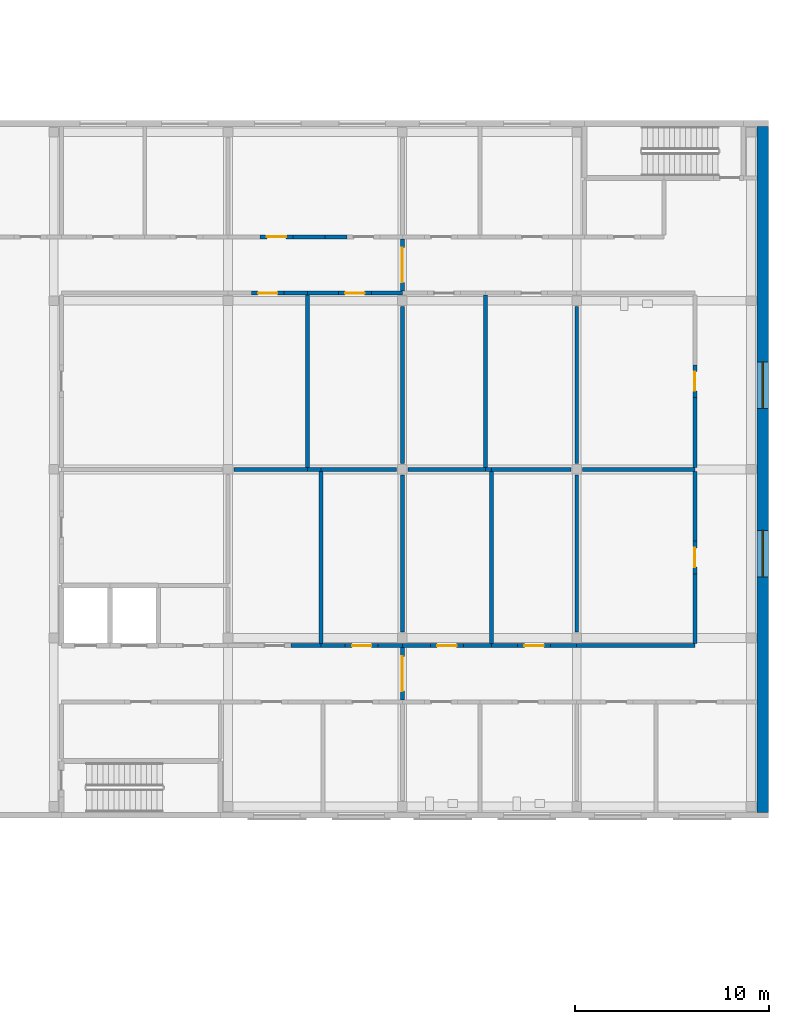
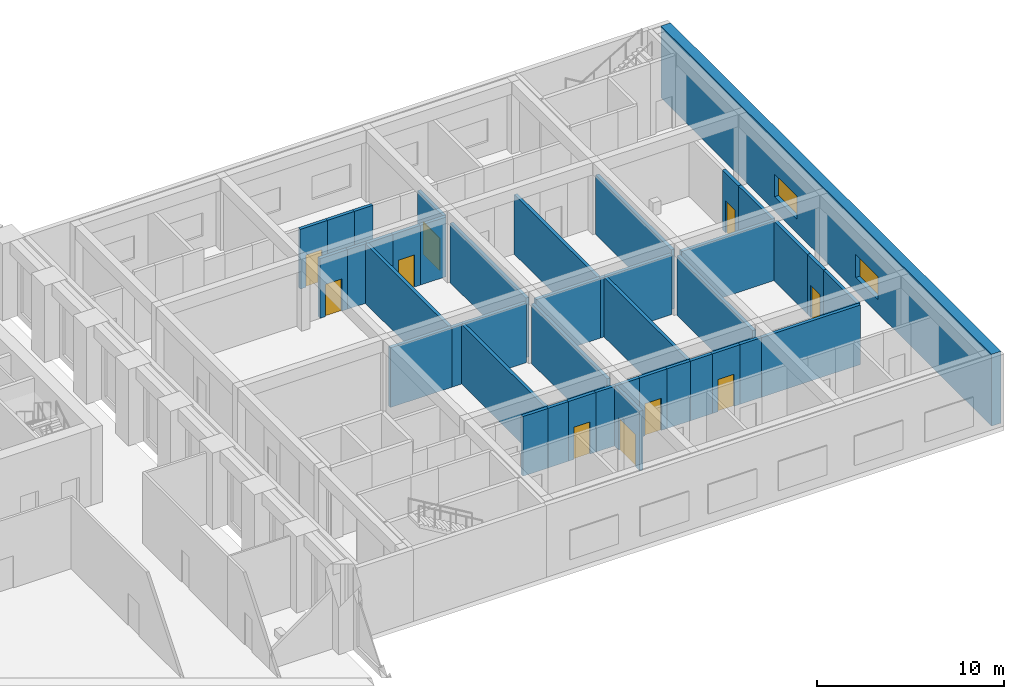
# One storey, part 10 of 19: 42 walls, 10 doors, 2 windows, 12 openings.
"""IFC4 building model written with IfcOpenShell, lengths in metres."""

from ifc_helpers import new_model, si_unit, direction, frame, frame_2d, origin, place, context, subcontext, project, spatial, rectangle, extrude, material, layer, layer_set, type_object, element, fill, save


model = new_model("IFC4")

# Units and contexts
model_context = context("Model", 3, precision=1e-05, world=origin(), true_north=direction((0.0, 1.0)))
body_context = subcontext(model_context, "Body", "Model", "MODEL_VIEW")
ifc_project = project(units=[si_unit("LENGTHUNIT", "METRE"), si_unit("AREAUNIT", "SQUARE_METRE"), si_unit("VOLUMEUNIT", "CUBIC_METRE"), si_unit("PLANEANGLEUNIT", "RADIAN"), si_unit("MASSUNIT", "GRAM", prefix="KILO")], contexts=[model_context])

# Site, building, storey
site_placement = place(None, origin())
site = spatial("IfcSite", under=ifc_project, at=site_placement, CompositionType="ELEMENT")
building_placement = place(site_placement, origin())
building = spatial("IfcBuilding", under=site, at=building_placement, Name="Girih Gate Residences", CompositionType="ELEMENT")
storey_placement = place(building_placement, frame((0.0, 0.0, 21.0)))
storey = spatial("IfcBuildingStorey", under=building, at=storey_placement, Name="L04", CompositionType="ELEMENT", Elevation=21.0)

# Walls
ifc_material_1 = material(Name="Fire-rated gypsum partition")
ifc_layer_1 = layer(ifc_material_1, 0.199951171875)
ifc_layer_set_1 = layer_set([ifc_layer_1], Name="HC Corridor wall 200 EI 60")
wall_type_1 = type_object("IfcWallType", Name="HC Corridor wall 200 EI 60", PredefinedType="PARTITIONING", material=ifc_layer_set_1)
wall_1_placement = place(storey_placement, frame((65.699951171875, 17.89990234375, 0.0), z_axis=(0.0, 0.0, 1.0), x_axis=(1.0, 0.0, 0.0)))
element("IfcWall", 1, at=wall_1_placement, inside=storey, type_object=wall_type_1, Name="L04 wall x17.90/65.7", PredefinedType="PARTITIONING", context=body_context, shape_type="SweptSolid", body=[
    extrude(rectangle(XDim=1.550048828125, YDim=0.199951171875, at=frame_2d((0.77490234375, 0.0))), origin(), (0.0, 0.0, 1.0), 3.89990234375),
])
wall_2_placement = place(storey_placement, frame((67.25, 17.89990234375, 0.0), z_axis=(0.0, 0.0, 1.0), x_axis=(1.0, 0.0, 0.0)))
element("IfcWall", 2, at=wall_2_placement, inside=storey, type_object=wall_type_1, Name="L04 wall x17.90/67.2", PredefinedType="PARTITIONING", context=body_context, shape_type="SweptSolid", body=[
    extrude(rectangle(XDim=1.25, YDim=0.199951171875, at=frame_2d((0.625, 0.0))), origin(), (0.0, 0.0, 1.0), 3.89990234375),
])

# Wall, opening, door
wall_3_placement = place(storey_placement, frame((68.5, 17.89990234375, 0.0), z_axis=(0.0, 0.0, 1.0), x_axis=(1.0, 0.0, 0.0)))
wall_3 = element("IfcWall", 3, at=wall_3_placement, inside=storey, type_object=wall_type_1, Name="L04 wall x17.90/68.5", PredefinedType="PARTITIONING", context=body_context, shape_type="SweptSolid", body=[
    extrude(rectangle(XDim=1.699951171875, YDim=0.199951171875, at=frame_2d((0.85009765625, 0.0))), origin(), (0.0, 0.0, 1.0), 3.89990234375),
])
opening_1_placement = place(wall_3_placement, frame((0.35009765625, 0.0, 0.0)))
opening_1 = element("IfcOpeningElement", 4, at=opening_1_placement, cuts=wall_3, Name="Opening HC-L04-D17", PredefinedType="OPENING", context=body_context, shape_type="SweptSolid", body=[
    extrude(rectangle(XDim=1.0, YDim=2.10009765625, at=frame_2d((0.5, 1.050048828125))), frame((0.0, 0.10986328125, 0.0), z_axis=(0.0, -1.0, 0.0), x_axis=(1.0, 0.0, 0.0)), (0.0, 0.0, 1.0), 0.219970703125),
])
ifc_material_2 = material(Name="Timber door set", Category="wood")
door_type_1 = type_object("IfcDoorType", Name="HC Door 1000x2100 FD30S", OperationType="NOTDEFINED", PredefinedType="DOOR", material=ifc_material_2)
door_1_placement = place(opening_1_placement, origin())
door_1 = element("IfcDoor", 5, at=door_1_placement, inside=storey, type_object=door_type_1, Name="L04 Training room door", OperationType="SINGLE_SWING_LEFT", OverallHeight=2.10009765625, OverallWidth=1.0, PredefinedType="DOOR", context=body_context, shape_type="SweptSolid", body=[
    extrude(rectangle(XDim=1.0, YDim=2.10009765625, at=frame_2d((0.5, 1.050048828125))), frame((0.0, 0.02490234375, 0.0), z_axis=(0.0, -1.0, 0.0), x_axis=(1.0, 0.0, 0.0)), (0.0, 0.0, 1.0), 0.050048828125),
])
fill(opening_1, door_1)

# Walls
wall_4_placement = place(storey_placement, frame((70.199951171875, 17.89990234375, 0.0), z_axis=(0.0, 0.0, 1.0), x_axis=(1.0, 0.0, 0.0)))
element("IfcWall", 6, at=wall_4_placement, inside=storey, type_object=wall_type_1, Name="L04 wall x17.90/70.2", PredefinedType="PARTITIONING", context=body_context, shape_type="SweptSolid", body=[
    extrude(rectangle(XDim=1.25, YDim=0.199951171875, at=frame_2d((0.625, 0.0))), origin(), (0.0, 0.0, 1.0), 3.89990234375),
])
wall_5_placement = place(storey_placement, frame((71.449951171875, 17.89990234375, 0.0), z_axis=(0.0, 0.0, 1.0), x_axis=(1.0, 0.0, 0.0)))
element("IfcWall", 7, at=wall_5_placement, inside=storey, type_object=wall_type_1, Name="L04 wall x17.90/71.5", PredefinedType="PARTITIONING", context=body_context, shape_type="SweptSolid", body=[
    extrude(rectangle(XDim=1.449951171875, YDim=0.199951171875, at=frame_2d((0.72509765625, 0.0))), origin(), (0.0, 0.0, 1.0), 3.89990234375),
])

# Wall, opening, door
wall_6_placement = place(storey_placement, frame((72.89990234375, 17.89990234375, 0.0), z_axis=(0.0, 0.0, 1.0), x_axis=(1.0, 0.0, 0.0)))
wall_6 = element("IfcWall", 8, at=wall_6_placement, inside=storey, type_object=wall_type_1, Name="L04 wall x17.90/72.9", PredefinedType="PARTITIONING", context=body_context, shape_type="SweptSolid", body=[
    extrude(rectangle(XDim=1.7001953125, YDim=0.199951171875, at=frame_2d((0.85009765625, 0.0))), origin(), (0.0, 0.0, 1.0), 3.89990234375),
])
opening_2_placement = place(wall_6_placement, frame((0.35009765625, 0.0, 0.0)))
opening_2 = element("IfcOpeningElement", 9, at=opening_2_placement, cuts=wall_6, Name="Opening HC-L04-D18", PredefinedType="OPENING", context=body_context, shape_type="SweptSolid", body=[
    extrude(rectangle(XDim=1.0, YDim=2.10009765625, at=frame_2d((0.5, 1.050048828125))), frame((0.0, 0.10986328125, 0.0), z_axis=(0.0, -1.0, 0.0), x_axis=(1.0, 0.0, 0.0)), (0.0, 0.0, 1.0), 0.219970703125),
])
door_2_placement = place(opening_2_placement, origin())
door_2 = element("IfcDoor", 10, at=door_2_placement, inside=storey, type_object=door_type_1, Name="L04 Library and study room door", OperationType="SINGLE_SWING_RIGHT", OverallHeight=2.10009765625, OverallWidth=1.0, PredefinedType="DOOR", context=body_context, shape_type="SweptSolid", body=[
    extrude(rectangle(XDim=1.0, YDim=2.10009765625, at=frame_2d((0.5, 1.050048828125))), frame((0.0, 0.02490234375, 0.0), z_axis=(0.0, -1.0, 0.0), x_axis=(1.0, 0.0, 0.0)), (0.0, 0.0, 1.0), 0.050048828125),
])
fill(opening_2, door_2)

# Walls
wall_7_placement = place(storey_placement, frame((74.60009765625, 17.89990234375, 0.0), z_axis=(0.0, 0.0, 1.0), x_axis=(1.0, 0.0, 0.0)))
element("IfcWall", 11, at=wall_7_placement, inside=storey, type_object=wall_type_1, Name="L04 wall x17.90/74.6", PredefinedType="PARTITIONING", context=body_context, shape_type="SweptSolid", body=[
    extrude(rectangle(XDim=1.449951171875, YDim=0.199951171875, at=frame_2d((0.72509765625, 0.0))), origin(), (0.0, 0.0, 1.0), 3.89990234375),
])
wall_8_placement = place(storey_placement, frame((76.050048828125, 17.89990234375, 0.0), z_axis=(0.0, 0.0, 1.0), x_axis=(1.0, 0.0, 0.0)))
element("IfcWall", 12, at=wall_8_placement, inside=storey, type_object=wall_type_1, Name="L04 wall x17.90/76.0", PredefinedType="PARTITIONING", context=body_context, shape_type="SweptSolid", body=[
    extrude(rectangle(XDim=1.349853515625, YDim=0.199951171875, at=frame_2d((0.6748046875, 0.0))), origin(), (0.0, 0.0, 1.0), 3.89990234375),
])

# Wall, opening, door
wall_9_placement = place(storey_placement, frame((77.39990234375, 17.89990234375, 0.0), z_axis=(0.0, 0.0, 1.0), x_axis=(1.0, 0.0, 0.0)))
wall_9 = element("IfcWall", 13, at=wall_9_placement, inside=storey, type_object=wall_type_1, Name="L04 wall x17.90/77.4", PredefinedType="PARTITIONING", context=body_context, shape_type="SweptSolid", body=[
    extrude(rectangle(XDim=1.7001953125, YDim=0.199951171875, at=frame_2d((0.85009765625, 0.0))), origin(), (0.0, 0.0, 1.0), 3.89990234375),
])
opening_3_placement = place(wall_9_placement, frame((0.35009765625, 0.0, 0.0)))
opening_3 = element("IfcOpeningElement", 14, at=opening_3_placement, cuts=wall_9, Name="Opening HC-L04-D19", PredefinedType="OPENING", context=body_context, shape_type="SweptSolid", body=[
    extrude(rectangle(XDim=1.0, YDim=2.10009765625, at=frame_2d((0.5, 1.050048828125))), frame((0.0, 0.10986328125, 0.0), z_axis=(0.0, -1.0, 0.0), x_axis=(1.0, 0.0, 0.0)), (0.0, 0.0, 1.0), 0.219970703125),
])
ifc_material_3 = material(Name="Steel door set", Category="steel")
door_type_2 = type_object("IfcDoorType", Name="HC Door 1000x2100 FD60", OperationType="NOTDEFINED", PredefinedType="DOOR", material=ifc_material_3)
door_3_placement = place(opening_3_placement, origin())
door_3 = element("IfcDoor", 15, at=door_3_placement, inside=storey, type_object=door_type_2, Name="L04 IT room door", OperationType="SINGLE_SWING_LEFT", OverallHeight=2.10009765625, OverallWidth=1.0, PredefinedType="DOOR", context=body_context, shape_type="SweptSolid", body=[
    extrude(rectangle(XDim=1.0, YDim=2.10009765625, at=frame_2d((0.5, 1.050048828125))), frame((0.0, 0.02490234375, 0.0), z_axis=(0.0, -1.0, 0.0), x_axis=(1.0, 0.0, 0.0)), (0.0, 0.0, 1.0), 0.050048828125),
])
fill(opening_3, door_3)

# Walls
wall_10_placement = place(storey_placement, frame((79.10009765625, 17.89990234375, 0.0), z_axis=(0.0, 0.0, 1.0), x_axis=(1.0, 0.0, 0.0)))
element("IfcWall", 16, at=wall_10_placement, inside=storey, type_object=wall_type_1, Name="L04 wall x17.90/79.1", PredefinedType="PARTITIONING", context=body_context, shape_type="SweptSolid", body=[
    extrude(rectangle(XDim=1.349853515625, YDim=0.199951171875, at=frame_2d((0.6748046875, 0.0))), origin(), (0.0, 0.0, 1.0), 3.89990234375),
])
wall_11_placement = place(storey_placement, frame((80.449951171875, 17.89990234375, 0.0), z_axis=(0.0, 0.0, 1.0), x_axis=(1.0, 0.0, 0.0)))
element("IfcWall", 17, at=wall_11_placement, inside=storey, type_object=wall_type_1, Name="L04 wall x17.90/80.5", PredefinedType="PARTITIONING", context=body_context, shape_type="SweptSolid", body=[
    extrude(rectangle(XDim=6.10009765625, YDim=0.199951171875, at=frame_2d((3.050048828125, 0.0))), origin(), (0.0, 0.0, 1.0), 3.89990234375),
])
wall_12_placement = place(storey_placement, frame((76.050048828125, 27.0, 0.0), z_axis=(0.0, 0.0, 1.0), x_axis=(1.0, 0.0, 0.0)))
element("IfcWall", 18, at=wall_12_placement, inside=storey, type_object=wall_type_1, Name="L04 wall x27.00/76.0", PredefinedType="PARTITIONING", context=body_context, shape_type="SweptSolid", body=[
    extrude(rectangle(XDim=4.099853515625, YDim=0.199951171875, at=frame_2d((2.0498046875, 0.0))), origin(), (0.0, 0.0, 1.0), 3.89990234375),
])
wall_13_placement = place(storey_placement, frame((80.75, 27.0, 0.0), z_axis=(0.0, 0.0, 1.0), x_axis=(1.0, 0.0, 0.0)))
element("IfcWall", 19, at=wall_13_placement, inside=storey, type_object=wall_type_1, Name="L04 wall x27.00/80.8", PredefinedType="PARTITIONING", context=body_context, shape_type="SweptSolid", body=[
    extrude(rectangle(XDim=5.800048828125, YDim=0.199951171875, at=frame_2d((2.89990234375, 0.0))), origin(), (0.0, 0.0, 1.0), 3.89990234375),
])

# Wall, opening, door
wall_14_placement = place(storey_placement, frame((65.35009765625, 36.10009765625, 0.0), z_axis=(0.0, 0.0, 1.0), x_axis=(-1.0, 0.0, 0.0)))
wall_14 = element("IfcWall", 20, at=wall_14_placement, inside=storey, type_object=wall_type_1, Name="L04 wall x36.10/63.6", PredefinedType="PARTITIONING", context=body_context, shape_type="SweptSolid", body=[
    extrude(rectangle(XDim=1.7001953125, YDim=0.199951171875, at=frame_2d((0.85009765625, 0.0))), origin(), (0.0, 0.0, 1.0), 3.89990234375),
])
opening_4_placement = place(wall_14_placement, frame((0.35009765625, 0.0, 0.0)))
opening_4 = element("IfcOpeningElement", 21, at=opening_4_placement, cuts=wall_14, Name="Opening HC-L04-D22", PredefinedType="OPENING", context=body_context, shape_type="SweptSolid", body=[
    extrude(rectangle(XDim=1.0, YDim=2.10009765625, at=frame_2d((0.5, 1.050048828125))), frame((0.0, 0.10986328125, 0.0), z_axis=(0.0, -1.0, 0.0), x_axis=(1.0, 0.0, 0.0)), (0.0, 0.0, 1.0), 0.219970703125),
])
door_4_placement = place(opening_4_placement, origin())
door_4 = element("IfcDoor", 22, at=door_4_placement, inside=storey, type_object=door_type_1, Name="L04 Staff lounge 2 door", OperationType="SINGLE_SWING_LEFT", OverallHeight=2.10009765625, OverallWidth=1.0, PredefinedType="DOOR", context=body_context, shape_type="SweptSolid", body=[
    extrude(rectangle(XDim=1.0, YDim=2.10009765625, at=frame_2d((0.5, 1.050048828125))), frame((0.0, 0.02490234375, 0.0), z_axis=(0.0, -1.0, 0.0), x_axis=(1.0, 0.0, 0.0)), (0.0, 0.0, 1.0), 0.050048828125),
])
fill(opening_4, door_4)

# Walls
wall_15_placement = place(storey_placement, frame((65.35009765625, 36.10009765625, 0.0), z_axis=(0.0, 0.0, 1.0), x_axis=(1.0, 0.0, 0.0)))
element("IfcWall", 23, at=wall_15_placement, inside=storey, type_object=wall_type_1, Name="L04 wall x36.10/65.3", PredefinedType="PARTITIONING", context=body_context, shape_type="SweptSolid", body=[
    extrude(rectangle(XDim=1.199951171875, YDim=0.199951171875, at=frame_2d((0.60009765625, 0.0))), origin(), (0.0, 0.0, 1.0), 3.89990234375),
])
wall_16_placement = place(storey_placement, frame((66.550048828125, 36.10009765625, 0.0), z_axis=(0.0, 0.0, 1.0), x_axis=(1.0, 0.0, 0.0)))
element("IfcWall", 24, at=wall_16_placement, inside=storey, type_object=wall_type_1, Name="L04 wall x36.10/66.5", PredefinedType="PARTITIONING", context=body_context, shape_type="SweptSolid", body=[
    extrude(rectangle(XDim=1.599853515625, YDim=0.199951171875, at=frame_2d((0.7998046875, 0.0))), origin(), (0.0, 0.0, 1.0), 3.89990234375),
])

# Wall, opening, door
wall_17_placement = place(storey_placement, frame((69.85009765625, 36.10009765625, 0.0), z_axis=(0.0, 0.0, 1.0), x_axis=(-1.0, 0.0, 0.0)))
wall_17 = element("IfcWall", 25, at=wall_17_placement, inside=storey, type_object=wall_type_1, Name="L04 wall x36.10/68.2", PredefinedType="PARTITIONING", context=body_context, shape_type="SweptSolid", body=[
    extrude(rectangle(XDim=1.7001953125, YDim=0.199951171875, at=frame_2d((0.85009765625, 0.0))), origin(), (0.0, 0.0, 1.0), 3.89990234375),
])
opening_5_placement = place(wall_17_placement, frame((0.35009765625, 0.0, 0.0)))
opening_5 = element("IfcOpeningElement", 26, at=opening_5_placement, cuts=wall_17, Name="Opening HC-L04-D23", PredefinedType="OPENING", context=body_context, shape_type="SweptSolid", body=[
    extrude(rectangle(XDim=1.0, YDim=2.10009765625, at=frame_2d((0.5, 1.050048828125))), frame((0.0, 0.10986328125, 0.0), z_axis=(0.0, -1.0, 0.0), x_axis=(1.0, 0.0, 0.0)), (0.0, 0.0, 1.0), 0.219970703125),
])
door_5_placement = place(opening_5_placement, origin())
door_5 = element("IfcDoor", 27, at=door_5_placement, inside=storey, type_object=door_type_1, Name="L04 Quiet room door", OperationType="SINGLE_SWING_RIGHT", OverallHeight=2.10009765625, OverallWidth=1.0, PredefinedType="DOOR", context=body_context, shape_type="SweptSolid", body=[
    extrude(rectangle(XDim=1.0, YDim=2.10009765625, at=frame_2d((0.5, 1.050048828125))), frame((0.0, 0.02490234375, 0.0), z_axis=(0.0, -1.0, 0.0), x_axis=(1.0, 0.0, 0.0)), (0.0, 0.0, 1.0), 0.050048828125),
])
fill(opening_5, door_5)

# Wall
wall_18_placement = place(storey_placement, frame((69.85009765625, 36.10009765625, 0.0), z_axis=(0.0, 0.0, 1.0), x_axis=(1.0, 0.0, 0.0)))
element("IfcWall", 28, at=wall_18_placement, inside=storey, type_object=wall_type_1, Name="L04 wall x36.10/69.8", PredefinedType="PARTITIONING", context=body_context, shape_type="SweptSolid", body=[
    extrude(rectangle(XDim=1.599853515625, YDim=0.199951171875, at=frame_2d((0.7998046875, 0.0))), origin(), (0.0, 0.0, 1.0), 3.89990234375),
])

# Wall, opening, door
wall_19_placement = place(storey_placement, frame((64.10009765625, 39.0, 0.0), z_axis=(0.0, 0.0, 1.0), x_axis=(1.0, 0.0, 0.0)))
wall_19 = element("IfcWall", 29, at=wall_19_placement, inside=storey, type_object=wall_type_1, Name="L04 wall x39.00/64.1", PredefinedType="PARTITIONING", context=body_context, shape_type="SweptSolid", body=[
    extrude(rectangle(XDim=1.699951171875, YDim=0.199951171875, at=frame_2d((0.85009765625, 0.0))), origin(), (0.0, 0.0, 1.0), 3.89990234375),
])
opening_6_placement = place(wall_19_placement, frame((0.35009765625, 0.0, 0.0)))
opening_6 = element("IfcOpeningElement", 30, at=opening_6_placement, cuts=wall_19, Name="Opening HC-L04-D30", PredefinedType="OPENING", context=body_context, shape_type="SweptSolid", body=[
    extrude(rectangle(XDim=1.0, YDim=2.10009765625, at=frame_2d((0.5, 1.050048828125))), frame((0.0, 0.10986328125, 0.0), z_axis=(0.0, -1.0, 0.0), x_axis=(1.0, 0.0, 0.0)), (0.0, 0.0, 1.0), 0.219970703125),
])
door_6_placement = place(opening_6_placement, origin())
door_6 = element("IfcDoor", 31, at=door_6_placement, inside=storey, type_object=door_type_1, Name="L04 Office 3 door", OperationType="SINGLE_SWING_RIGHT", OverallHeight=2.10009765625, OverallWidth=1.0, PredefinedType="DOOR", context=body_context, shape_type="SweptSolid", body=[
    extrude(rectangle(XDim=1.0, YDim=2.10009765625, at=frame_2d((0.5, 1.050048828125))), frame((0.0, 0.02490234375, 0.0), z_axis=(0.0, -1.0, 0.0), x_axis=(1.0, 0.0, 0.0)), (0.0, 0.0, 1.0), 0.050048828125),
])
fill(opening_6, door_6)

# Walls
wall_20_placement = place(storey_placement, frame((65.800048828125, 39.0, 0.0), z_axis=(0.0, 0.0, 1.0), x_axis=(1.0, 0.0, 0.0)))
element("IfcWall", 32, at=wall_20_placement, inside=storey, type_object=wall_type_1, Name="L04 wall x39.00/65.8", PredefinedType="PARTITIONING", context=body_context, shape_type="SweptSolid", body=[
    extrude(rectangle(XDim=1.64990234375, YDim=0.199951171875, at=frame_2d((0.824951171875, 0.0))), origin(), (0.0, 0.0, 1.0), 3.89990234375),
])
wall_21_placement = place(storey_placement, frame((67.449951171875, 39.0, 0.0), z_axis=(0.0, 0.0, 1.0), x_axis=(1.0, 0.0, 0.0)))
element("IfcWall", 33, at=wall_21_placement, inside=storey, type_object=wall_type_1, Name="L04 wall x39.00/67.5", PredefinedType="PARTITIONING", context=body_context, shape_type="SweptSolid", body=[
    extrude(rectangle(XDim=1.150146484375, YDim=0.199951171875, at=frame_2d((0.5751953125, 0.0))), origin(), (0.0, 0.0, 1.0), 3.89990234375),
])

# Wall, opening, door
wall_22_placement = place(storey_placement, frame((71.449951171875, 17.800048828125, 0.0), z_axis=(0.0, 0.0, 1.0), x_axis=(0.0, -1.0, 0.0)))
wall_22 = element("IfcWall", 34, at=wall_22_placement, inside=storey, type_object=wall_type_1, Name="L04 wall y71.45/15.1", PredefinedType="PARTITIONING", context=body_context, shape_type="SweptSolid", body=[
    extrude(rectangle(XDim=2.699951171875, YDim=0.199951171875, at=frame_2d((1.35009765625, 0.0))), origin(), (0.0, 0.0, 1.0), 3.89990234375),
])
opening_7_placement = place(wall_22_placement, frame((0.449951171875, 0.0, 0.0)))
opening_7 = element("IfcOpeningElement", 35, at=opening_7_placement, cuts=wall_22, Name="Opening HC-L04-D05", PredefinedType="OPENING", context=body_context, shape_type="SweptSolid", body=[
    extrude(rectangle(XDim=1.800048828125, YDim=2.10009765625, at=frame_2d((0.89990234375, 1.050048828125))), frame((0.0, 0.10986328125, 0.0), z_axis=(0.0, -1.0, 0.0), x_axis=(1.0, 0.0, 0.0)), (0.0, 0.0, 1.0), 0.219970703125),
])
door_type_3 = type_object("IfcDoorType", Name="HC Corridor fire door pair 1800x2100 FD30S", OperationType="NOTDEFINED", PredefinedType="DOOR", material=ifc_material_2)
door_7_placement = place(opening_7_placement, origin())
door_7 = element("IfcDoor", 36, at=door_7_placement, inside=storey, type_object=door_type_3, Name="L04 corridor south fire door pair", OperationType="DOUBLE_DOOR_DOUBLE_SWING", OverallHeight=2.10009765625, OverallWidth=1.800048828125, PredefinedType="DOOR", context=body_context, shape_type="SweptSolid", body=[
    extrude(rectangle(XDim=1.800048828125, YDim=2.10009765625, at=frame_2d((0.89990234375, 1.050048828125))), frame((0.0, 0.02490234375, 0.0), z_axis=(0.0, -1.0, 0.0), x_axis=(1.0, 0.0, 0.0)), (0.0, 0.0, 1.0), 0.050048828125),
])
fill(opening_7, door_7)

wall_23_placement = place(storey_placement, frame((71.449951171875, 38.89990234375, 0.0), z_axis=(0.0, 0.0, 1.0), x_axis=(0.0, -1.0, 0.0)))
wall_23 = element("IfcWall", 37, at=wall_23_placement, inside=storey, type_object=wall_type_1, Name="L04 wall y71.45/36.2", PredefinedType="PARTITIONING", context=body_context, shape_type="SweptSolid", body=[
    extrude(rectangle(XDim=2.699951171875, YDim=0.199951171875, at=frame_2d((1.35009765625, 0.0))), origin(), (0.0, 0.0, 1.0), 3.89990234375),
])
opening_8_placement = place(wall_23_placement, frame((0.449951171875, 0.0, 0.0)))
opening_8 = element("IfcOpeningElement", 38, at=opening_8_placement, cuts=wall_23, Name="Opening HC-L04-D06", PredefinedType="OPENING", context=body_context, shape_type="SweptSolid", body=[
    extrude(rectangle(XDim=1.800048828125, YDim=2.10009765625, at=frame_2d((0.89990234375, 1.050048828125))), frame((0.0, 0.10986328125, 0.0), z_axis=(0.0, -1.0, 0.0), x_axis=(1.0, 0.0, 0.0)), (0.0, 0.0, 1.0), 0.219970703125),
])
door_8_placement = place(opening_8_placement, origin())
door_8 = element("IfcDoor", 39, at=door_8_placement, inside=storey, type_object=door_type_3, Name="L04 corridor north fire door pair", OperationType="DOUBLE_DOOR_DOUBLE_SWING", OverallHeight=2.10009765625, OverallWidth=1.800048828125, PredefinedType="DOOR", context=body_context, shape_type="SweptSolid", body=[
    extrude(rectangle(XDim=1.800048828125, YDim=2.10009765625, at=frame_2d((0.89990234375, 1.050048828125))), frame((0.0, 0.02490234375, 0.0), z_axis=(0.0, -1.0, 0.0), x_axis=(1.0, 0.0, 0.0)), (0.0, 0.0, 1.0), 0.050048828125),
])
fill(opening_8, door_8)

# Walls
wall_24_placement = place(storey_placement, frame((76.050048828125, 18.0, 0.0), z_axis=(0.0, 0.0, 1.0), x_axis=(0.0, 1.0, 0.0)))
element("IfcWall", 40, at=wall_24_placement, inside=storey, type_object=wall_type_1, Name="L04 wall y76.05/18.0", PredefinedType="PARTITIONING", context=body_context, shape_type="SweptSolid", body=[
    extrude(rectangle(XDim=8.89990234375, YDim=0.199951171875, at=frame_2d((4.449951171875, 0.0))), origin(), (0.0, 0.0, 1.0), 3.89990234375),
])
wall_25_placement = place(storey_placement, frame((80.449951171875, 18.60009765625, 0.0), z_axis=(0.0, 0.0, 1.0), x_axis=(0.0, 1.0, 0.0)))
element("IfcWall", 41, at=wall_25_placement, inside=storey, type_object=wall_type_1, Name="L04 wall y80.45/18.6", PredefinedType="PARTITIONING", context=body_context, shape_type="SweptSolid", body=[
    extrude(rectangle(XDim=8.099853515625, YDim=0.199951171875, at=frame_2d((4.0498046875, 0.0))), origin(), (0.0, 0.0, 1.0), 3.89990234375),
])
wall_26_placement = place(storey_placement, frame((86.550048828125, 18.0, 0.0), z_axis=(0.0, 0.0, 1.0), x_axis=(0.0, 1.0, 0.0)))
element("IfcWall", 42, at=wall_26_placement, inside=storey, type_object=wall_type_1, Name="L04 wall y86.55/18.0", PredefinedType="PARTITIONING", context=body_context, shape_type="SweptSolid", body=[
    extrude(rectangle(XDim=3.60009765625, YDim=0.199951171875, at=frame_2d((1.800048828125, 0.0))), origin(), (0.0, 0.0, 1.0), 3.89990234375),
])

# Wall, opening, door
wall_27_placement = place(storey_placement, frame((86.550048828125, 21.60009765625, 0.0), z_axis=(0.0, 0.0, 1.0), x_axis=(0.0, 1.0, 0.0)))
wall_27 = element("IfcWall", 43, at=wall_27_placement, inside=storey, type_object=wall_type_1, Name="L04 wall y86.55/21.6", PredefinedType="PARTITIONING", context=body_context, shape_type="SweptSolid", body=[
    extrude(rectangle(XDim=1.699951171875, YDim=0.199951171875, at=frame_2d((0.85009765625, 0.0))), origin(), (0.0, 0.0, 1.0), 3.89990234375),
])
opening_9_placement = place(wall_27_placement, frame((0.35009765625, 0.0, 0.0)))
opening_9 = element("IfcOpeningElement", 44, at=opening_9_placement, cuts=wall_27, Name="Opening HC-L04-D20", PredefinedType="OPENING", context=body_context, shape_type="SweptSolid", body=[
    extrude(rectangle(XDim=1.0, YDim=2.10009765625, at=frame_2d((0.5, 1.050048828125))), frame((0.0, 0.10986328125, 0.0), z_axis=(0.0, -1.0, 0.0), x_axis=(1.0, 0.0, 0.0)), (0.0, 0.0, 1.0), 0.219970703125),
])
door_9_placement = place(opening_9_placement, origin())
door_9 = element("IfcDoor", 45, at=door_9_placement, inside=storey, type_object=door_type_2, Name="L04 Plant room door", OperationType="SINGLE_SWING_RIGHT", OverallHeight=2.10009765625, OverallWidth=1.0, PredefinedType="DOOR", context=body_context, shape_type="SweptSolid", body=[
    extrude(rectangle(XDim=1.0, YDim=2.10009765625, at=frame_2d((0.5, 1.050048828125))), frame((0.0, 0.02490234375, 0.0), z_axis=(0.0, -1.0, 0.0), x_axis=(1.0, 0.0, 0.0)), (0.0, 0.0, 1.0), 0.050048828125),
])
fill(opening_9, door_9)

# Walls
for number, where, z_axis, x_axis, name in (
    (46, (86.550048828125, 23.300048828125, 0.0), (0.0, 0.0, 1.0), (0.0, 1.0, 0.0), "L04 wall y86.55/23.3"),
    (47, (86.550048828125, 27.10009765625, 0.0), (0.0, 0.0, 1.0), (0.0, 1.0, 0.0), "L04 wall y86.55/27.1"),
):
    element("IfcWall", number, at=place(storey_placement, frame(where, z_axis=z_axis, x_axis=x_axis)), inside=storey, type_object=wall_type_1, Name=name, PredefinedType="PARTITIONING", context=body_context, shape_type="SweptSolid", body=[
        extrude(rectangle(XDim=3.599853515625, YDim=0.199951171875, at=frame_2d((1.7998046875, 0.0))), origin(), (0.0, 0.0, 1.0), 3.89990234375),
    ])

# Wall, opening, door
wall_28_placement = place(storey_placement, frame((86.550048828125, 30.699951171875, 0.0), z_axis=(0.0, 0.0, 1.0), x_axis=(0.0, 1.0, 0.0)))
wall_28 = element("IfcWall", 48, at=wall_28_placement, inside=storey, type_object=wall_type_1, Name="L04 wall y86.55/30.7", PredefinedType="PARTITIONING", context=body_context, shape_type="SweptSolid", body=[
    extrude(rectangle(XDim=1.699951171875, YDim=0.199951171875, at=frame_2d((0.85009765625, 0.0))), origin(), (0.0, 0.0, 1.0), 3.89990234375),
])
opening_10_placement = place(wall_28_placement, frame((0.35009765625, 0.0, 0.0)))
opening_10 = element("IfcOpeningElement", 49, at=opening_10_placement, cuts=wall_28, Name="Opening HC-L04-D26", PredefinedType="OPENING", context=body_context, shape_type="SweptSolid", body=[
    extrude(rectangle(XDim=1.0, YDim=2.10009765625, at=frame_2d((0.5, 1.050048828125))), frame((0.0, 0.10986328125, 0.0), z_axis=(0.0, -1.0, 0.0), x_axis=(1.0, 0.0, 0.0)), (0.0, 0.0, 1.0), 0.219970703125),
])
door_10_placement = place(opening_10_placement, origin())
door_10 = element("IfcDoor", 50, at=door_10_placement, inside=storey, type_object=door_type_1, Name="L04 Staff WC door", OperationType="SINGLE_SWING_RIGHT", OverallHeight=2.10009765625, OverallWidth=1.0, PredefinedType="DOOR", context=body_context, shape_type="SweptSolid", body=[
    extrude(rectangle(XDim=1.0, YDim=2.10009765625, at=frame_2d((0.5, 1.050048828125))), frame((0.0, 0.02490234375, 0.0), z_axis=(0.0, -1.0, 0.0), x_axis=(1.0, 0.0, 0.0)), (0.0, 0.0, 1.0), 0.050048828125),
])
fill(opening_10, door_10)

# Wall, openings, windows
ifc_material_4 = material(Name="Precast concrete C40/50", Category="concrete")
ifc_layer_2 = layer(ifc_material_4, 0.60009765625)
ifc_layer_set_2 = layer_set([ifc_layer_2], Name="HC Facade wall 600")
wall_type_2 = type_object("IfcWallType", Name="HC Facade wall 600", PredefinedType="SOLIDWALL", material=ifc_layer_set_2)
wall_29_placement = place(storey_placement, frame((90.050048828125, 9.300048828125, 0.0), z_axis=(0.0, 0.0, 1.0), x_axis=(0.0, 1.0, 0.0)))
wall_29 = element("IfcWall", 51, at=wall_29_placement, inside=storey, type_object=wall_type_2, Name="L04 east facade wall", PredefinedType="SOLIDWALL", context=body_context, shape_type="SweptSolid", body=[
    extrude(rectangle(XDim=35.39990234375, YDim=0.60009765625, at=frame_2d((17.699951171875, 0.0))), origin(), (0.0, 0.0, 1.0), 4.699951171875),
])
opening_11_placement = place(wall_29_placement, frame((12.14990234375, 0.0, 0.89990234375)))
opening_11 = element("IfcOpeningElement", 52, at=opening_11_placement, cuts=wall_29, Name="Opening HC-W-L04-E01", PredefinedType="OPENING", context=body_context, shape_type="SweptSolid", body=[
    extrude(rectangle(XDim=2.39990234375, YDim=1.5, at=frame_2d((1.199951171875, 0.75))), frame((0.0, 0.31005859375, 0.0), z_axis=(0.0, -1.0, 0.0), x_axis=(1.0, 0.0, 0.0)), (0.0, 0.0, 1.0), 0.6201171875),
])
opening_12_placement = place(wall_29_placement, frame((20.85009765625, 0.0, 0.89990234375)))
opening_12 = element("IfcOpeningElement", 53, at=opening_12_placement, cuts=wall_29, Name="Opening HC-W-L04-E02", PredefinedType="OPENING", context=body_context, shape_type="SweptSolid", body=[
    extrude(rectangle(XDim=2.39990234375, YDim=1.5, at=frame_2d((1.199951171875, 0.75))), frame((0.0, 0.31005859375, 0.0), z_axis=(0.0, -1.0, 0.0), x_axis=(1.0, 0.0, 0.0)), (0.0, 0.0, 1.0), 0.6201171875),
])
ifc_material_5 = material(Name="Aluminium framed glazing", Category="aluminium")
window_type = type_object("IfcWindowType", Name="HC Window W-4 2400x1500", PartitioningType="DOUBLE_PANEL_VERTICAL", PredefinedType="WINDOW", material=ifc_material_5)
window_1_placement = place(opening_11_placement, origin())
window_1 = element("IfcWindow", 54, at=window_1_placement, inside=storey, type_object=window_type, Name="L04 east window 1", OverallHeight=1.5, OverallWidth=2.39990234375, PartitioningType="DOUBLE_PANEL_VERTICAL", PredefinedType="WINDOW", context=body_context, shape_type="SweptSolid", body=[
    extrude(rectangle(XDim=2.39990234375, YDim=1.5, at=frame_2d((1.199951171875, 0.75))), frame((0.0, 0.030029296875, 0.0), z_axis=(0.0, -1.0, 0.0), x_axis=(1.0, 0.0, 0.0)), (0.0, 0.0, 1.0), 0.06005859375),
])
fill(opening_11, window_1)
window_2_placement = place(opening_12_placement, origin())
window_2 = element("IfcWindow", 55, at=window_2_placement, inside=storey, type_object=window_type, Name="L04 east window 2", OverallHeight=1.5, OverallWidth=2.39990234375, PartitioningType="DOUBLE_PANEL_VERTICAL", PredefinedType="WINDOW", context=body_context, shape_type="SweptSolid", body=[
    extrude(rectangle(XDim=2.39990234375, YDim=1.5, at=frame_2d((1.199951171875, 0.75))), frame((0.0, 0.030029296875, 0.0), z_axis=(0.0, -1.0, 0.0), x_axis=(1.0, 0.0, 0.0)), (0.0, 0.0, 1.0), 0.06005859375),
])
fill(opening_12, window_2)

# Walls
ifc_material_6 = material(Name="Gypsum partition")
ifc_layer_3 = layer(ifc_material_6, 0.199951171875)
ifc_layer_set_3 = layer_set([ifc_layer_3], Name="HC Room partition 200 EI 30")
wall_type_3 = type_object("IfcWallType", Name="HC Room partition 200 EI 30", PredefinedType="PARTITIONING", material=ifc_layer_set_3)
wall_30_placement = place(storey_placement, frame((62.75, 27.0, 0.0), z_axis=(0.0, 0.0, 1.0), x_axis=(1.0, 0.0, 0.0)))
element("IfcWall", 56, at=wall_30_placement, inside=storey, type_object=wall_type_3, Name="L04 wall x27.00/62.8", PredefinedType="PARTITIONING", context=body_context, shape_type="SweptSolid", body=[
    extrude(rectangle(XDim=3.800048828125, YDim=0.199951171875, at=frame_2d((1.89990234375, 0.0))), origin(), (0.0, 0.0, 1.0), 3.89990234375),
])
wall_31_placement = place(storey_placement, frame((66.550048828125, 27.0, 0.0), z_axis=(0.0, 0.0, 1.0), x_axis=(1.0, 0.0, 0.0)))
element("IfcWall", 57, at=wall_31_placement, inside=storey, type_object=wall_type_3, Name="L04 wall x27.00/66.5", PredefinedType="PARTITIONING", context=body_context, shape_type="SweptSolid", body=[
    extrude(rectangle(XDim=0.699951171875, YDim=0.199951171875, at=frame_2d((0.35009765625, 0.0))), origin(), (0.0, 0.0, 1.0), 3.89990234375),
])
wall_32_placement = place(storey_placement, frame((67.25, 27.0, 0.0), z_axis=(0.0, 0.0, 1.0), x_axis=(1.0, 0.0, 0.0)))
element("IfcWall", 58, at=wall_32_placement, inside=storey, type_object=wall_type_3, Name="L04 wall x27.00/67.2", PredefinedType="PARTITIONING", context=body_context, shape_type="SweptSolid", body=[
    extrude(rectangle(XDim=3.89990234375, YDim=0.199951171875, at=frame_2d((1.949951171875, 0.0))), origin(), (0.0, 0.0, 1.0), 3.89990234375),
])
wall_33_placement = place(storey_placement, frame((71.75, 27.0, 0.0), z_axis=(0.0, 0.0, 1.0), x_axis=(1.0, 0.0, 0.0)))
element("IfcWall", 59, at=wall_33_placement, inside=storey, type_object=wall_type_3, Name="L04 wall x27.00/71.8", PredefinedType="PARTITIONING", context=body_context, shape_type="SweptSolid", body=[
    extrude(rectangle(XDim=4.0, YDim=0.199951171875, at=frame_2d((2.0, 0.0))), origin(), (0.0, 0.0, 1.0), 3.89990234375),
])
wall_34_placement = place(storey_placement, frame((75.75, 27.0, 0.0), z_axis=(0.0, 0.0, 1.0), x_axis=(1.0, 0.0, 0.0)))
element("IfcWall", 60, at=wall_34_placement, inside=storey, type_object=wall_type_3, Name="L04 wall x27.00/75.8", PredefinedType="PARTITIONING", context=body_context, shape_type="SweptSolid", body=[
    extrude(rectangle(XDim=0.300048828125, YDim=0.199951171875, at=frame_2d((0.14990234375, 0.0))), origin(), (0.0, 0.0, 1.0), 3.89990234375),
])
for number, where, z_axis, x_axis, name in (
    (61, (66.550048828125, 27.10009765625, 0.0), (0.0, 0.0, 1.0), (0.0, 1.0, 0.0), "L04 wall y66.55/27.1"),
    (62, (67.25, 18.0, 0.0), (0.0, 0.0, 1.0), (0.0, 1.0, 0.0), "L04 wall y67.25/18.0"),
):
    element("IfcWall", number, at=place(storey_placement, frame(where, z_axis=z_axis, x_axis=x_axis)), inside=storey, type_object=wall_type_3, Name=name, PredefinedType="PARTITIONING", context=body_context, shape_type="SweptSolid", body=[
        extrude(rectangle(XDim=8.89990234375, YDim=0.199951171875, at=frame_2d((4.449951171875, 0.0))), origin(), (0.0, 0.0, 1.0), 3.89990234375),
    ])
for number, where, z_axis, x_axis, name in (
    (63, (71.449951171875, 18.60009765625, 0.0), (0.0, 0.0, 1.0), (0.0, 1.0, 0.0), "L04 wall y71.45/18.6"),
    (64, (71.449951171875, 27.300048828125, 0.0), (0.0, 0.0, 1.0), (0.0, 1.0, 0.0), "L04 wall y71.45/27.3"),
):
    element("IfcWall", number, at=place(storey_placement, frame(where, z_axis=z_axis, x_axis=x_axis)), inside=storey, type_object=wall_type_3, Name=name, PredefinedType="PARTITIONING", context=body_context, shape_type="SweptSolid", body=[
        extrude(rectangle(XDim=8.099853515625, YDim=0.199951171875, at=frame_2d((4.0498046875, 0.0))), origin(), (0.0, 0.0, 1.0), 3.89990234375),
    ])
wall_35_placement = place(storey_placement, frame((75.75, 27.10009765625, 0.0), z_axis=(0.0, 0.0, 1.0), x_axis=(0.0, 1.0, 0.0)))
element("IfcWall", 65, at=wall_35_placement, inside=storey, type_object=wall_type_3, Name="L04 wall y75.75/27.1", PredefinedType="PARTITIONING", context=body_context, shape_type="SweptSolid", body=[
    extrude(rectangle(XDim=8.89990234375, YDim=0.199951171875, at=frame_2d((4.449951171875, 0.0))), origin(), (0.0, 0.0, 1.0), 3.89990234375),
])
wall_36_placement = place(storey_placement, frame((80.449951171875, 27.300048828125, 0.0), z_axis=(0.0, 0.0, 1.0), x_axis=(0.0, 1.0, 0.0)))
element("IfcWall", 66, at=wall_36_placement, inside=storey, type_object=wall_type_3, Name="L04 wall y80.45/27.3", PredefinedType="PARTITIONING", context=body_context, shape_type="SweptSolid", body=[
    extrude(rectangle(XDim=8.099853515625, YDim=0.199951171875, at=frame_2d((4.0498046875, 0.0))), origin(), (0.0, 0.0, 1.0), 3.89990234375),
])

save(model, "model.ifc")
